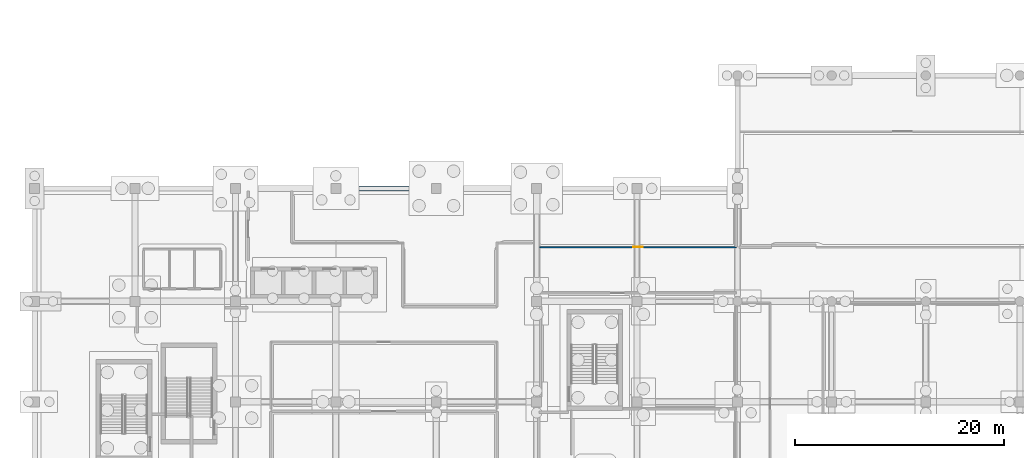
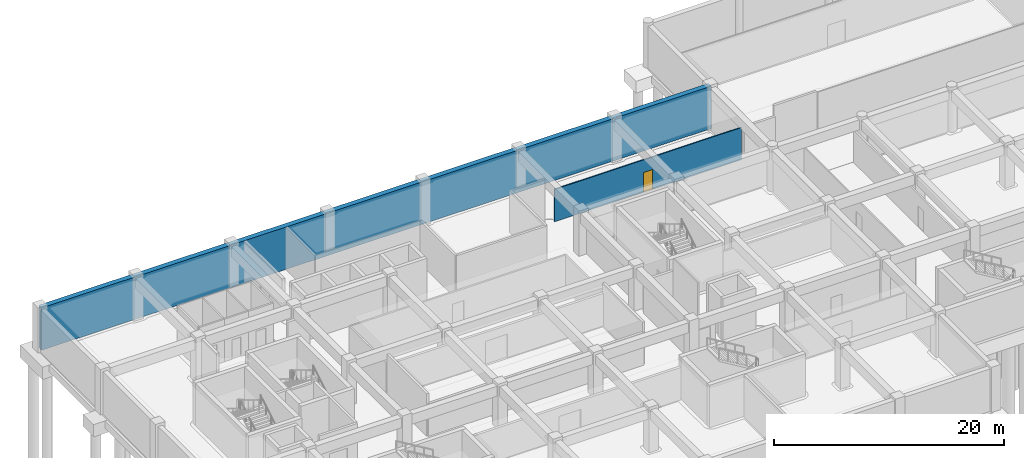
# One storey, part 15 of 47: 2 walls, 1 door, 1 opening.
"""IFC4 building model written with IfcOpenShell, lengths in metres."""

from ifc_helpers import new_model, si_unit, direction, frame, frame_2d, origin, place, context, subcontext, project, spatial, rectangle, extrude, material, layer, layer_set, type_object, element, fill, save


model = new_model("IFC4")

# Units and contexts
model_context = context("Model", 3, precision=1e-05, world=origin(), true_north=direction((0.0, 1.0)))
body_context = subcontext(model_context, "Body", "Model", "MODEL_VIEW")
ifc_project = project(units=[si_unit("LENGTHUNIT", "METRE"), si_unit("AREAUNIT", "SQUARE_METRE"), si_unit("VOLUMEUNIT", "CUBIC_METRE"), si_unit("PLANEANGLEUNIT", "RADIAN"), si_unit("MASSUNIT", "GRAM", prefix="KILO")], contexts=[model_context])

# Site, building, storey
site_placement = place(None, origin())
site = spatial("IfcSite", under=ifc_project, at=site_placement, CompositionType="ELEMENT")
building_placement = place(site_placement, origin())
building = spatial("IfcBuilding", under=site, at=building_placement, Name="Cendralis Terraced Arcade", CompositionType="ELEMENT")
storey_placement = place(building_placement, frame((0.0, 0.0, -4.800048828125)))
storey = spatial("IfcBuildingStorey", under=building, at=storey_placement, Name="B1", CompositionType="ELEMENT", Elevation=-4.800048828125)

# Wall, opening, door
ifc_material_1 = material(Name="Gypsum plasterboard acoustic partition", Category="concrete")
ifc_layer_1 = layer(ifc_material_1, 0.112060546875, Name="WL-PART-112")
ifc_layer_set_1 = layer_set([ifc_layer_1], Name="Gypsum plasterboard acoustic partition")
wall_type_1 = type_object("IfcWallType", Name="WL-PART-112", PredefinedType="PARTITIONING", material=ifc_layer_set_1)
wall_1_placement = place(storey_placement, frame((67.080078125, 43.580078125, 0.0), z_axis=(0.0, 0.0, 1.0), x_axis=(-1.0, 0.0, 0.0)))
wall_1 = element("IfcWall", 1, at=wall_1_placement, inside=storey, type_object=wall_type_1, Name="Interior Partition Wall IW-B1-0100", PredefinedType="PARTITIONING", context=body_context, shape_type="SweptSolid", body=[
    extrude(rectangle(XDim=18.773193359375, YDim=0.112060546875, at=frame_2d((9.38671875, 0.0))), origin(), (0.0, 0.0, 1.0), 3.43994140625),
])
opening_placement = place(wall_1_placement, frame((8.926513671875, 0.0, 0.0)))
opening = element("IfcOpeningElement", 2, at=opening_placement, cuts=wall_1, Name="Opening D-B1-036", PredefinedType="OPENING", context=body_context, shape_type="SweptSolid", body=[
    extrude(rectangle(XDim=0.919921875, YDim=2.10009765625, at=frame_2d((0.4599609375, 1.050048828125))), frame((0.0, 0.06787109375, 0.0), z_axis=(0.0, -1.0, 0.0), x_axis=(1.0, 0.0, 0.0)), (0.0, 0.0, 1.0), 0.135986328125),
])
ifc_material_2 = material(Name="Solid core Andean oak veneer door leaf", Category="aluminium")
door_type = type_object("IfcDoorType", Name="ID-RM-0920x2100", OperationType="NOTDEFINED", PredefinedType="DOOR", material=ifc_material_2)
door_placement = place(opening_placement, origin())
door = element("IfcDoor", 3, at=door_placement, inside=storey, type_object=door_type, Name="Bicycle Mobility and Micromobility Hub Door D-B1-036", OperationType="SINGLE_SWING_LEFT", OverallHeight=2.10009765625, OverallWidth=0.919921875, PredefinedType="DOOR", context=body_context, shape_type="SweptSolid", body=[
    extrude(rectangle(XDim=0.919921875, YDim=2.10009765625, at=frame_2d((0.4599609375, 1.050048828125))), frame((0.0, 0.02490234375, 0.0), z_axis=(0.0, -1.0, 0.0), x_axis=(1.0, 0.0, 0.0)), (0.0, 0.0, 1.0), 0.050048828125),
])
fill(opening, door)

# Wall
ifc_material_3 = material(Name="Concrete f'c 35 MPa", Category="concrete")
ifc_layer_2 = layer(ifc_material_3, 0.5, Name="WL-RET-500")
ifc_layer_set_2 = layer_set([ifc_layer_2], Name="Concrete f'c 35 MPa")
wall_type_2 = type_object("IfcWallType", Name="WL-RET-500", PredefinedType="USERDEFINED", material=ifc_layer_set_2)
wall_2_placement = place(storey_placement, frame((0.0, 49.199951171875, 0.0), z_axis=(0.0, 0.0, 1.0), x_axis=(1.0, 0.0, 0.0)))
element("IfcWall", 4, at=wall_2_placement, inside=storey, type_object=wall_type_2, Name="Basement Reinforced Concrete Retaining Wall RW-B1-29", ObjectType="RETAINING WALL", PredefinedType="USERDEFINED", context=body_context, shape_type="SweptSolid", body=[
    extrude(rectangle(XDim=67.199951171875, YDim=0.5, at=frame_2d((33.60009765625, 0.0))), origin(), (0.0, 0.0, 1.0), 4.5),
])

save(model, "model.ifc")
